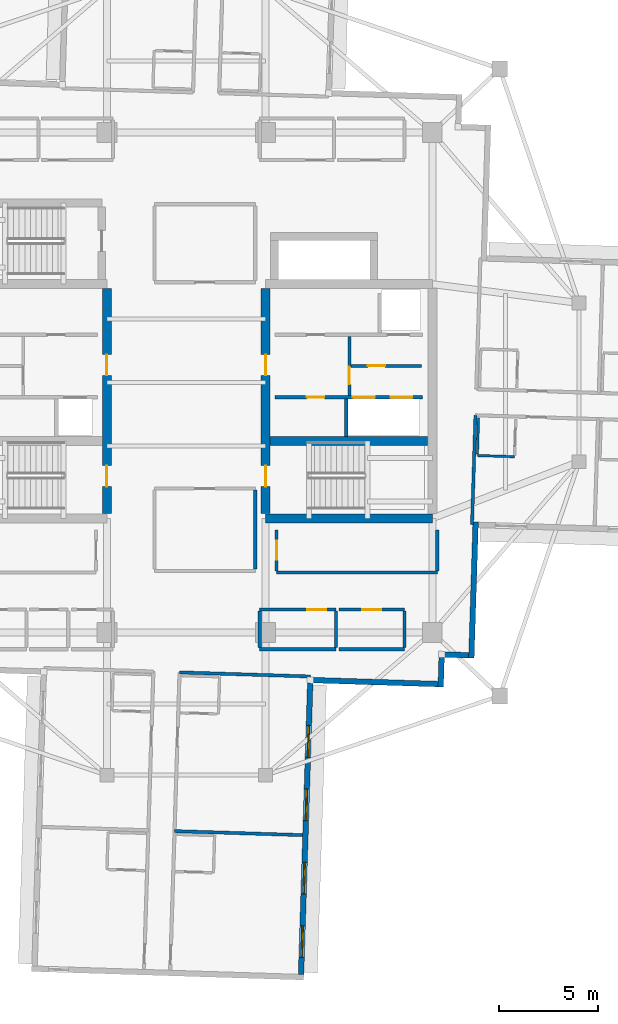
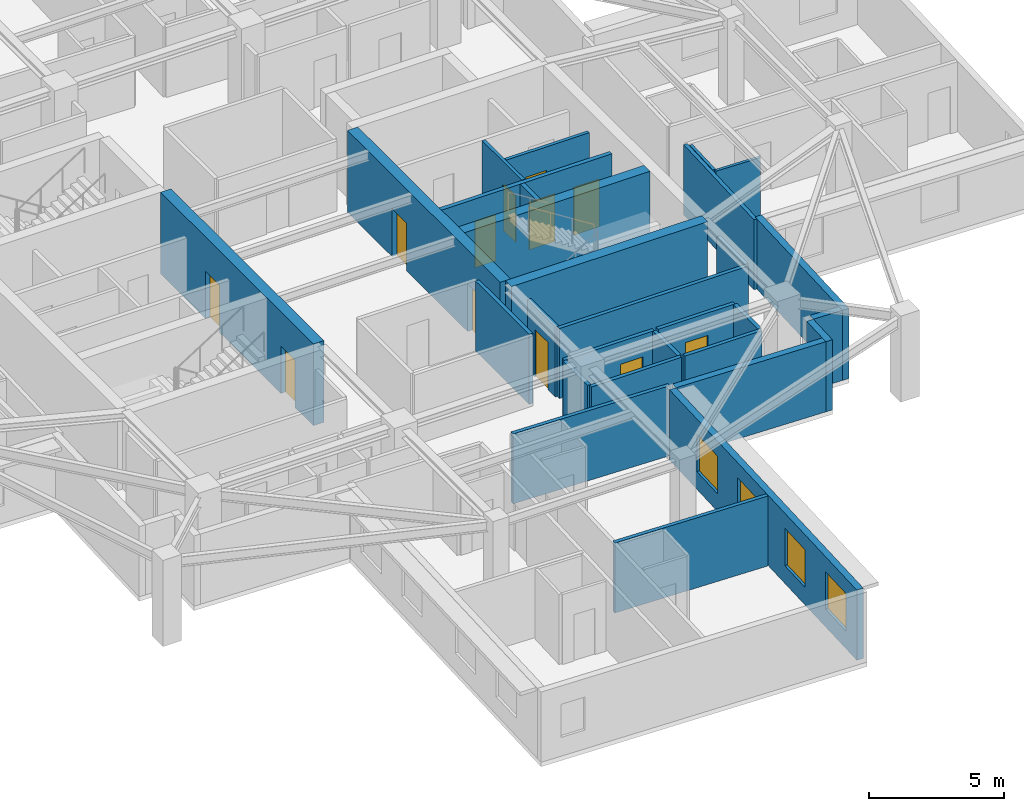
# One storey, part 5 of 13: 29 walls, 12 doors, 4 windows, 16 openings.
"""IFC4 building model written with IfcOpenShell, lengths in metres."""

from ifc_helpers import new_model, si_unit, direction, frame, frame_2d, origin, place, context, subcontext, project, spatial, rectangle, extrude, material, layer, layer_set, type_object, element, fill, save


model = new_model("IFC4")

# Units and contexts
model_context = context("Model", 3, precision=1e-05, world=origin(), true_north=direction((0.0, 1.0)))
body_context = subcontext(model_context, "Body", "Model", "MODEL_VIEW")
ifc_project = project(units=[si_unit("LENGTHUNIT", "METRE"), si_unit("AREAUNIT", "SQUARE_METRE"), si_unit("VOLUMEUNIT", "CUBIC_METRE"), si_unit("PLANEANGLEUNIT", "RADIAN"), si_unit("MASSUNIT", "GRAM", prefix="KILO")], contexts=[model_context])

# Site, building, storey
site_placement = place(None, origin())
site = spatial("IfcSite", under=ifc_project, at=site_placement, CompositionType="ELEMENT")
building_placement = place(site_placement, origin())
building = spatial("IfcBuilding", under=site, at=building_placement, Name="Qingluan Cross Belvedere", CompositionType="ELEMENT")
storey_placement = place(building_placement, frame((0.0, 0.0, 257.699951171875)))
storey = spatial("IfcBuildingStorey", under=building, at=storey_placement, Name="L64", CompositionType="ELEMENT", Elevation=257.699951171875)

# Wall, openings, doors
ifc_material_1 = material(Name="Concrete C50", Category="concrete")
ifc_layer_1 = layer(ifc_material_1, 0.449951171875, Name="CoreShearWall_450")
ifc_layer_set_1 = layer_set([ifc_layer_1], Name="Concrete C50")
wall_type_1 = type_object("IfcWallType", Name="CoreShearWall_450", PredefinedType="SHEAR", material=ifc_layer_set_1)
wall_1_placement = place(storey_placement, frame((-4.0, -6.6201171875, 0.0), z_axis=(0.0, 0.0, 1.0), x_axis=(0.0, 1.0, 0.0)))
wall_1 = element("IfcWall", 1, at=wall_1_placement, inside=storey, type_object=wall_type_1, Name="Split core W shear wall L64-E", PredefinedType="SHEAR", context=body_context, shape_type="SweptSolid", body=[
    extrude(rectangle(XDim=11.340087890625, YDim=0.449951171875, at=frame_2d((5.669921875, 0.0))), origin(), (0.0, 0.0, 1.0), 3.699951171875),
])
opening_1_placement = place(wall_1_placement, frame((1.3701171875, 0.0, 0.0)))
opening_1 = element("IfcOpeningElement", 2, at=opening_1_placement, cuts=wall_1, Name="Opening FD-B11", PredefinedType="OPENING", context=body_context, shape_type="SweptSolid", body=[
    extrude(rectangle(XDim=1.050048828125, YDim=2.14990234375, at=frame_2d((0.52490234375, 1.074951171875))), frame((0.0, 0.23486328125, 0.0), z_axis=(0.0, -1.0, 0.0), x_axis=(1.0, 0.0, 0.0)), (0.0, 0.0, 1.0), 0.469970703125),
])
opening_2_placement = place(wall_1_placement, frame((6.969970703125, 0.0, 0.0)))
opening_2 = element("IfcOpeningElement", 3, at=opening_2_placement, cuts=wall_1, Name="Opening FD-B11", PredefinedType="OPENING", context=body_context, shape_type="SweptSolid", body=[
    extrude(rectangle(XDim=1.050048828125, YDim=2.14990234375, at=frame_2d((0.52490234375, 1.074951171875))), frame((0.0, 0.23486328125, 0.0), z_axis=(0.0, -1.0, 0.0), x_axis=(1.0, 0.0, 0.0)), (0.0, 0.0, 1.0), 0.469970703125),
])
ifc_material_2 = material(Name="Steel Class B smoke-seal fire door", Category="steel")
door_type_1 = type_object("IfcDoorType", Name="StairLobbyFireDoor_FDB", OperationType="NOTDEFINED", PredefinedType="DOOR", material=ifc_material_2)
door_1_placement = place(opening_1_placement, origin())
door_1 = element("IfcDoor", 4, at=door_1_placement, inside=storey, type_object=door_type_1, Name="Smoke-proof stair ST1 fire door L64", OperationType="SINGLE_SWING_RIGHT", OverallHeight=2.14990234375, OverallWidth=1.050048828125, PredefinedType="DOOR", context=body_context, shape_type="SweptSolid", body=[
    extrude(rectangle(XDim=1.050048828125, YDim=2.14990234375, at=frame_2d((0.52490234375, 1.074951171875))), frame((0.0, 0.02490234375, 0.0), z_axis=(0.0, -1.0, 0.0), x_axis=(1.0, 0.0, 0.0)), (0.0, 0.0, 1.0), 0.050048828125),
])
fill(opening_1, door_1)
door_2_placement = place(opening_2_placement, origin())
door_2 = element("IfcDoor", 5, at=door_2_placement, inside=storey, type_object=door_type_1, Name="Firefighting lobby West fire door L64", OperationType="SINGLE_SWING_RIGHT", OverallHeight=2.14990234375, OverallWidth=1.050048828125, PredefinedType="DOOR", context=body_context, shape_type="SweptSolid", body=[
    extrude(rectangle(XDim=1.050048828125, YDim=2.14990234375, at=frame_2d((0.52490234375, 1.074951171875))), frame((0.0, 0.02490234375, 0.0), z_axis=(0.0, -1.0, 0.0), x_axis=(1.0, 0.0, 0.0)), (0.0, 0.0, 1.0), 0.050048828125),
])
fill(opening_2, door_2)

# Wall
wall_2_placement = place(storey_placement, frame((4.0, -6.85009765625, 0.0), z_axis=(0.0, 0.0, 1.0), x_axis=(1.0, 0.0, 0.0)))
element("IfcWall", 6, at=wall_2_placement, inside=storey, type_object=wall_type_1, Name="Split core E shear wall L64-S", PredefinedType="SHEAR", context=body_context, shape_type="SweptSolid", body=[
    extrude(rectangle(XDim=8.39990234375, YDim=0.449951171875, at=frame_2d((4.199951171875, 0.0))), origin(), (0.0, 0.0, 1.0), 3.699951171875),
])

# Wall, openings, doors
wall_3_placement = place(storey_placement, frame((4.0, -6.6201171875, 0.0), z_axis=(0.0, 0.0, 1.0), x_axis=(0.0, 1.0, 0.0)))
wall_3 = element("IfcWall", 7, at=wall_3_placement, inside=storey, type_object=wall_type_1, Name="Split core E shear wall L64-W", PredefinedType="SHEAR", context=body_context, shape_type="SweptSolid", body=[
    extrude(rectangle(XDim=11.340087890625, YDim=0.449951171875, at=frame_2d((5.669921875, 0.0))), origin(), (0.0, 0.0, 1.0), 3.699951171875),
])
opening_3_placement = place(wall_3_placement, frame((1.3701171875, 0.0, 0.0)))
opening_3 = element("IfcOpeningElement", 8, at=opening_3_placement, cuts=wall_3, Name="Opening FD-B11", PredefinedType="OPENING", context=body_context, shape_type="SweptSolid", body=[
    extrude(rectangle(XDim=1.050048828125, YDim=2.14990234375, at=frame_2d((0.52490234375, 1.074951171875))), frame((0.0, 0.23486328125, 0.0), z_axis=(0.0, -1.0, 0.0), x_axis=(1.0, 0.0, 0.0)), (0.0, 0.0, 1.0), 0.469970703125),
])
opening_4_placement = place(wall_3_placement, frame((6.969970703125, 0.0, 0.0)))
opening_4 = element("IfcOpeningElement", 9, at=opening_4_placement, cuts=wall_3, Name="Opening FD-B11", PredefinedType="OPENING", context=body_context, shape_type="SweptSolid", body=[
    extrude(rectangle(XDim=1.050048828125, YDim=2.14990234375, at=frame_2d((0.52490234375, 1.074951171875))), frame((0.0, 0.23486328125, 0.0), z_axis=(0.0, -1.0, 0.0), x_axis=(1.0, 0.0, 0.0)), (0.0, 0.0, 1.0), 0.469970703125),
])
door_3_placement = place(opening_3_placement, origin())
door_3 = element("IfcDoor", 10, at=door_3_placement, inside=storey, type_object=door_type_1, Name="Smoke-proof stair ST2 fire door L64", OperationType="SINGLE_SWING_LEFT", OverallHeight=2.14990234375, OverallWidth=1.050048828125, PredefinedType="DOOR", context=body_context, shape_type="SweptSolid", body=[
    extrude(rectangle(XDim=1.050048828125, YDim=2.14990234375, at=frame_2d((0.52490234375, 1.074951171875))), frame((0.0, 0.02490234375, 0.0), z_axis=(0.0, -1.0, 0.0), x_axis=(1.0, 0.0, 0.0)), (0.0, 0.0, 1.0), 0.050048828125),
])
fill(opening_3, door_3)
door_4_placement = place(opening_4_placement, origin())
door_4 = element("IfcDoor", 11, at=door_4_placement, inside=storey, type_object=door_type_1, Name="Firefighting lobby East fire door L64", OperationType="SINGLE_SWING_LEFT", OverallHeight=2.14990234375, OverallWidth=1.050048828125, PredefinedType="DOOR", context=body_context, shape_type="SweptSolid", body=[
    extrude(rectangle(XDim=1.050048828125, YDim=2.14990234375, at=frame_2d((0.52490234375, 1.074951171875))), frame((0.0, 0.02490234375, 0.0), z_axis=(0.0, -1.0, 0.0), x_axis=(1.0, 0.0, 0.0)), (0.0, 0.0, 1.0), 0.050048828125),
])
fill(opening_4, door_4)

# Wall
wall_4_placement = place(storey_placement, frame((4.22998046875, -2.9599609375, 0.0), z_axis=(0.0, 0.0, 1.0), x_axis=(1.0, 0.0, 0.0)))
element("IfcWall", 12, at=wall_4_placement, inside=storey, type_object=wall_type_1, Name="Split core E shear wall L64-M", PredefinedType="SHEAR", context=body_context, shape_type="SweptSolid", body=[
    extrude(rectangle(XDim=7.93994140625, YDim=0.449951171875, at=frame_2d((3.969970703125, 0.0))), origin(), (0.0, 0.0, 1.0), 3.699951171875),
])

# Wall, opening, door
ifc_material_3 = material(Name="Gypsum plasterboard on steel stud acoustic partition", Category="steel")
ifc_layer_2 = layer(ifc_material_3, 0.159912109375, Name="CorridorPartition_160")
ifc_layer_set_2 = layer_set([ifc_layer_2], Name="Gypsum plasterboard on steel stud acoustic partition")
wall_type_2 = type_object("IfcWallType", Name="CorridorPartition_160", PredefinedType="PARTITIONING", material=ifc_layer_set_2)
wall_5_placement = place(storey_placement, frame((8.298095703125, 0.830078125, 0.0), z_axis=(0.0, 0.0, 1.0), x_axis=(1.0, 0.0, 0.0)))
wall_5 = element("IfcWall", 13, at=wall_5_placement, inside=storey, type_object=wall_type_2, Name="Partition L64:e", PredefinedType="PARTITIONING", context=body_context, shape_type="SweptSolid", body=[
    extrude(rectangle(XDim=3.552001953125, YDim=0.139892578125, at=frame_2d((1.77587890625, 0.0))), origin(), (0.0, 0.0, 1.0), 3.170166015625),
])
opening_5_placement = place(wall_5_placement, frame((0.85009765625, 0.0, 0.0)))
opening_5 = element("IfcOpeningElement", 14, at=opening_5_placement, cuts=wall_5, Name="Opening FD-B10", PredefinedType="OPENING", context=body_context, shape_type="SweptSolid", body=[
    extrude(rectangle(XDim=0.8798828125, YDim=2.10009765625, at=frame_2d((0.43994140625, 1.050048828125))), frame((0.0, 0.079833984375, 0.0), z_axis=(0.0, -1.0, 0.0), x_axis=(1.0, 0.0, 0.0)), (0.0, 0.0, 1.0), 0.159912109375),
])
ifc_material_4 = material(Name="Steel Class B service fire door", Category="steel")
door_type_2 = type_object("IfcDoorType", Name="RiserServiceFireDoor_FDB", OperationType="NOTDEFINED", PredefinedType="DOOR", material=ifc_material_4)
door_5_placement = place(opening_5_placement, origin())
door_5 = element("IfcDoor", 15, at=door_5_placement, inside=storey, type_object=door_type_2, Name="Service closet inner door L64", OperationType="SINGLE_SWING_RIGHT", OverallHeight=2.10009765625, OverallWidth=0.8798828125, PredefinedType="DOOR", context=body_context, shape_type="SweptSolid", body=[
    extrude(rectangle(XDim=0.8798828125, YDim=2.10009765625, at=frame_2d((0.43994140625, 1.050048828125))), frame((0.0, 0.02490234375, 0.0), z_axis=(0.0, -1.0, 0.0), x_axis=(1.0, 0.0, 0.0)), (0.0, 0.0, 1.0), 0.050048828125),
])
fill(opening_5, door_5)

# Wall
wall_6_placement = place(storey_placement, frame((3.699951171875, -13.449951171875, 0.0), z_axis=(0.0, 0.0, 1.0), x_axis=(1.0, 0.0, 0.0)))
element("IfcWall", 16, at=wall_6_placement, inside=storey, type_object=wall_type_2, Name="Partition L64:q_se1:S", PredefinedType="PARTITIONING", context=body_context, shape_type="SweptSolid", body=[
    extrude(rectangle(XDim=3.85009765625, YDim=0.159912109375, at=frame_2d((1.925048828125, 0.0))), origin(), (0.0, 0.0, 1.0), 3.170166015625),
])

# Wall, opening, door
wall_7_placement = place(storey_placement, frame((3.699951171875, -11.449951171875, 0.0), z_axis=(0.0, 0.0, 1.0), x_axis=(1.0, 0.0, 0.0)))
wall_7 = element("IfcWall", 17, at=wall_7_placement, inside=storey, type_object=wall_type_2, Name="Partition L64:q_se1:N", PredefinedType="PARTITIONING", context=body_context, shape_type="SweptSolid", body=[
    extrude(rectangle(XDim=3.85009765625, YDim=0.159912109375, at=frame_2d((1.925048828125, 0.0))), origin(), (0.0, 0.0, 1.0), 3.170166015625),
])
opening_6_placement = place(wall_7_placement, frame((2.39501953125, 0.0, 0.0)))
opening_6 = element("IfcOpeningElement", 18, at=opening_6_placement, cuts=wall_7, Name="Opening GD-10", PredefinedType="OPENING", context=body_context, shape_type="SweptSolid", body=[
    extrude(rectangle(XDim=0.9599609375, YDim=2.14990234375, at=frame_2d((0.47998046875, 1.074951171875))), frame((0.0, 0.08984375, 0.0), z_axis=(0.0, -1.0, 0.0), x_axis=(1.0, 0.0, 0.0)), (0.0, 0.0, 1.0), 0.179931640625),
])
ifc_material_5 = material(Name="Timber oak fire-rated acoustic guestroom door", Category="wood")
door_type_3 = type_object("IfcDoorType", Name="GuestEntryDoor_FD60", OperationType="NOTDEFINED", PredefinedType="DOOR", material=ifc_material_5)
door_6_placement = place(opening_6_placement, origin())
door_6 = element("IfcDoor", 19, at=door_6_placement, inside=storey, type_object=door_type_3, Name="Guest relations office L64 door", OperationType="SINGLE_SWING_RIGHT", OverallHeight=2.14990234375, OverallWidth=0.9599609375, PredefinedType="DOOR", context=body_context, shape_type="SweptSolid", body=[
    extrude(rectangle(XDim=0.9599609375, YDim=2.14990234375, at=frame_2d((0.47998046875, 1.074951171875))), frame((0.0, 0.02490234375, 0.0), z_axis=(0.0, -1.0, 0.0), x_axis=(1.0, 0.0, 0.0)), (0.0, 0.0, 1.0), 0.050048828125),
])
fill(opening_6, door_6)

# Walls
for number, where, z_axis, x_axis, name in (
    (20, (3.699951171875, -13.364990234375, 0.0), (0.0, 0.0, 1.0), (0.0, 1.0, 0.0), "Partition L64:q_se1:W"),
    (21, (7.550048828125, -13.364990234375, 0.0), (0.0, 0.0, 1.0), (0.0, 1.0, 0.0), "Partition L64:q_se1:E"),
):
    element("IfcWall", number, at=place(storey_placement, frame(where, z_axis=z_axis, x_axis=x_axis)), inside=storey, type_object=wall_type_2, Name=name, PredefinedType="PARTITIONING", context=body_context, shape_type="SweptSolid", body=[
        extrude(rectangle(XDim=1.830078125, YDim=0.159912109375, at=frame_2d((0.9150390625, 0.0))), origin(), (0.0, 0.0, 1.0), 3.170166015625),
    ])
wall_8_placement = place(storey_placement, frame((7.7099609375, -13.449951171875, 0.0), z_axis=(0.0, 0.0, 1.0), x_axis=(1.0, 0.0, 0.0)))
element("IfcWall", 22, at=wall_8_placement, inside=storey, type_object=wall_type_2, Name="Partition L64:q_se2:S", PredefinedType="PARTITIONING", context=body_context, shape_type="SweptSolid", body=[
    extrude(rectangle(XDim=3.2900390625, YDim=0.159912109375, at=frame_2d((1.64501953125, 0.0))), origin(), (0.0, 0.0, 1.0), 3.170166015625),
])

# Wall, opening, door
wall_9_placement = place(storey_placement, frame((7.7099609375, -11.449951171875, 0.0), z_axis=(0.0, 0.0, 1.0), x_axis=(1.0, 0.0, 0.0)))
wall_9 = element("IfcWall", 23, at=wall_9_placement, inside=storey, type_object=wall_type_2, Name="Partition L64:q_se2:N", PredefinedType="PARTITIONING", context=body_context, shape_type="SweptSolid", body=[
    extrude(rectangle(XDim=3.2900390625, YDim=0.159912109375, at=frame_2d((1.64501953125, 0.0))), origin(), (0.0, 0.0, 1.0), 3.170166015625),
])
opening_7_placement = place(wall_9_placement, frame((1.1650390625, 0.0, 0.0)))
opening_7 = element("IfcOpeningElement", 24, at=opening_7_placement, cuts=wall_9, Name="Opening GD-10", PredefinedType="OPENING", context=body_context, shape_type="SweptSolid", body=[
    extrude(rectangle(XDim=0.9599609375, YDim=2.14990234375, at=frame_2d((0.47998046875, 1.074951171875))), frame((0.0, 0.08984375, 0.0), z_axis=(0.0, -1.0, 0.0), x_axis=(1.0, 0.0, 0.0)), (0.0, 0.0, 1.0), 0.179931640625),
])
door_7_placement = place(opening_7_placement, origin())
door_7 = element("IfcDoor", 25, at=door_7_placement, inside=storey, type_object=door_type_3, Name="Southeast study room L64 door", OperationType="SINGLE_SWING_LEFT", OverallHeight=2.14990234375, OverallWidth=0.9599609375, PredefinedType="DOOR", context=body_context, shape_type="SweptSolid", body=[
    extrude(rectangle(XDim=0.9599609375, YDim=2.14990234375, at=frame_2d((0.47998046875, 1.074951171875))), frame((0.0, 0.02490234375, 0.0), z_axis=(0.0, -1.0, 0.0), x_axis=(1.0, 0.0, 0.0)), (0.0, 0.0, 1.0), 0.050048828125),
])
fill(opening_7, door_7)

# Walls
wall_10_placement = place(storey_placement, frame((11.0, -13.364990234375, 0.0), z_axis=(0.0, 0.0, 1.0), x_axis=(0.0, 1.0, 0.0)))
element("IfcWall", 26, at=wall_10_placement, inside=storey, type_object=wall_type_2, Name="Partition L64:q_se2:E", PredefinedType="PARTITIONING", context=body_context, shape_type="SweptSolid", body=[
    extrude(rectangle(XDim=1.830078125, YDim=0.159912109375, at=frame_2d((0.9150390625, 0.0))), origin(), (0.0, 0.0, 1.0), 3.170166015625),
])
wall_11_placement = place(storey_placement, frame((3.47998046875, -9.4150390625, 0.0), z_axis=(0.0, 0.0, 1.0), x_axis=(0.0, 1.0, 0.0)))
element("IfcWall", 27, at=wall_11_placement, inside=storey, type_object=wall_type_2, Name="Partition L64:sky_south_alcove:E", PredefinedType="PARTITIONING", context=body_context, shape_type="SweptSolid", body=[
    extrude(rectangle(XDim=3.97998046875, YDim=0.159912109375, at=frame_2d((1.989990234375, 0.0))), origin(), (0.0, 0.0, 1.0), 3.170166015625),
])
wall_12_placement = place(storey_placement, frame((4.550048828125, -9.580078125, 0.0), z_axis=(0.0, 0.0, 1.0), x_axis=(1.0, 0.0, 0.0)))
element("IfcWall", 28, at=wall_12_placement, inside=storey, type_object=wall_type_2, Name="Partition L64:rec_st4:S", PredefinedType="PARTITIONING", context=body_context, shape_type="SweptSolid", body=[
    extrude(rectangle(XDim=8.099853515625, YDim=0.159912109375, at=frame_2d((4.0498046875, 0.0))), origin(), (0.0, 0.0, 1.0), 3.170166015625),
])

# Wall, opening, door
wall_13_placement = place(storey_placement, frame((4.550048828125, -9.4951171875, 0.0), z_axis=(0.0, 0.0, 1.0), x_axis=(0.0, 1.0, 0.0)))
wall_13 = element("IfcWall", 29, at=wall_13_placement, inside=storey, type_object=wall_type_2, Name="Partition L64:rec_st4:W", PredefinedType="PARTITIONING", context=body_context, shape_type="SweptSolid", body=[
    extrude(rectangle(XDim=2.06005859375, YDim=0.159912109375, at=frame_2d((1.030029296875, 0.0))), origin(), (0.0, 0.0, 1.0), 3.170166015625),
])
opening_8_placement = place(wall_13_placement, frame((0.550048828125, 0.0, 0.0)))
opening_8 = element("IfcOpeningElement", 30, at=opening_8_placement, cuts=wall_13, Name="Opening GD-10", PredefinedType="OPENING", context=body_context, shape_type="SweptSolid", body=[
    extrude(rectangle(XDim=0.9599609375, YDim=2.14990234375, at=frame_2d((0.47998046875, 1.074951171875))), frame((0.0, 0.08984375, 0.0), z_axis=(0.0, -1.0, 0.0), x_axis=(1.0, 0.0, 0.0)), (0.0, 0.0, 1.0), 0.179931640625),
])
door_8_placement = place(opening_8_placement, origin())
door_8 = element("IfcDoor", 31, at=door_8_placement, inside=storey, type_object=door_type_3, Name="Southeast club library room L64 door", OperationType="SINGLE_SWING_LEFT", OverallHeight=2.14990234375, OverallWidth=0.9599609375, PredefinedType="DOOR", context=body_context, shape_type="SweptSolid", body=[
    extrude(rectangle(XDim=0.9599609375, YDim=2.14990234375, at=frame_2d((0.47998046875, 1.074951171875))), frame((0.0, 0.02490234375, 0.0), z_axis=(0.0, -1.0, 0.0), x_axis=(1.0, 0.0, 0.0)), (0.0, 0.0, 1.0), 0.050048828125),
])
fill(opening_8, door_8)

# Walls
wall_14_placement = place(storey_placement, frame((12.64990234375, -9.4951171875, 0.0), z_axis=(0.0, 0.0, 1.0), x_axis=(0.0, 1.0, 0.0)))
element("IfcWall", 32, at=wall_14_placement, inside=storey, type_object=wall_type_2, Name="Partition L64:rec_st4:E", PredefinedType="PARTITIONING", context=body_context, shape_type="SweptSolid", body=[
    extrude(rectangle(XDim=2.06005859375, YDim=0.159912109375, at=frame_2d((1.030029296875, 0.0))), origin(), (0.0, 0.0, 1.0), 3.170166015625),
])
wall_15_placement = place(storey_placement, frame((14.5751953125, -1.65869140625, 0.0), z_axis=(0.0, 0.0, 1.0), x_axis=(-0.031447400002, -0.999505408206, 0.0)))
element("IfcWall", 33, at=wall_15_placement, inside=storey, type_object=wall_type_2, Name="Partition L64:E:s1", PredefinedType="PARTITIONING", context=body_context, shape_type="SweptSolid", body=[
    extrude(rectangle(XDim=5.519775390625, YDim=0.159912109375, at=frame_2d((2.759765625, 0.0))), origin(), (0.0, 0.0, 1.0), 3.170166015625),
])
wall_16_placement = place(storey_placement, frame((-0.33935546875, -14.61669921875, 0.0), z_axis=(0.0, 0.0, 1.0), x_axis=(0.999506756764, -0.031404508956, 0.0)))
element("IfcWall", 34, at=wall_16_placement, inside=storey, type_object=wall_type_2, Name="Partition L64:S:s0", PredefinedType="PARTITIONING", context=body_context, shape_type="SweptSolid", body=[
    extrude(rectangle(XDim=6.60009765625, YDim=0.159912109375, at=frame_2d((3.300048828125, 0.0))), origin(), (0.0, 0.0, 1.0), 3.170166015625),
])
wall_17_placement = place(storey_placement, frame((-0.5908203125, -22.61669921875, 0.0), z_axis=(0.0, 0.0, 1.0), x_axis=(0.999506708632, -0.031406040816, 0.0)))
element("IfcWall", 35, at=wall_17_placement, inside=storey, type_object=wall_type_2, Name="Partition L64:S:d0_0", PredefinedType="PARTITIONING", context=body_context, shape_type="SweptSolid", body=[
    extrude(rectangle(XDim=6.4521484375, YDim=0.159912109375, at=frame_2d((3.22607421875, 0.0))), origin(), (0.0, 0.0, 1.0), 3.170166015625),
])
ifc_material_6 = material(Name="Moisture-resistant gypsum board lining")
ifc_layer_3 = layer(ifc_material_6, 0.1201171875, Name="EnsuiteWetPartition_120")
ifc_layer_set_3 = layer_set([ifc_layer_3], Name="Moisture-resistant gypsum board lining")
wall_type_3 = type_object("IfcWallType", Name="EnsuiteWetPartition_120", PredefinedType="PARTITIONING", material=ifc_layer_set_3)
wall_18_placement = place(storey_placement, frame((14.67333984375, -3.622802734375, 0.0), z_axis=(0.0, 0.0, 1.0), x_axis=(0.03152371574, 0.999503004171, 0.0)))
element("IfcWall", 36, at=wall_18_placement, inside=storey, type_object=wall_type_3, Name="Partition L64:E:bw1_0", PredefinedType="PARTITIONING", context=body_context, shape_type="SweptSolid", body=[
    extrude(rectangle(XDim=1.820068359375, YDim=0.1201171875, at=frame_2d((0.91015625, 0.0))), origin(), (0.0, 0.0, 1.0), 3.170166015625),
])
wall_19_placement = place(storey_placement, frame((14.67138671875, -3.687744140625, 0.0), z_axis=(0.0, 0.0, 1.0), x_axis=(0.999510173889, -0.031295563454, 0.0)))
element("IfcWall", 37, at=wall_19_placement, inside=storey, type_object=wall_type_3, Name="Partition L64:E:bc1_0", PredefinedType="PARTITIONING", context=body_context, shape_type="SweptSolid", body=[
    extrude(rectangle(XDim=1.880126953125, YDim=0.1201171875, at=frame_2d((0.93994140625, 0.0))), origin(), (0.0, 0.0, 1.0), 3.170166015625),
])

# Wall, openings, windows
ifc_material_7 = material(Name="Precast concrete C45", Category="concrete")
ifc_layer_4 = layer(ifc_material_7, 0.280029296875, Name="PrecastFacadeWall_280")
ifc_layer_set_4 = layer_set([ifc_layer_4], Name="Precast concrete C45")
wall_type_4 = type_object("IfcWallType", Name="PrecastFacadeWall_280", PredefinedType="STANDARD", material=ifc_layer_set_4)
wall_20_placement = place(storey_placement, frame((5.78564453125, -29.83642578125, 0.0), z_axis=(0.0, 0.0, 1.0), x_axis=(0.031406376864, 0.999506698073, 0.0)))
wall_20 = element("IfcWall", 38, at=wall_20_placement, inside=storey, type_object=wall_type_4, Name="Facade wall L64-SB", PredefinedType="STANDARD", context=body_context, shape_type="SweptSolid", body=[
    extrude(rectangle(XDim=14.699951171875, YDim=0.280029296875, at=frame_2d((7.35009765625, 0.0))), origin(), (0.0, 0.0, 1.0), 3.179931640625),
])
opening_9_placement = place(wall_20_placement, frame((0.85009765625, 0.0, 0.800048828125)))
opening_9 = element("IfcOpeningElement", 39, at=opening_9_placement, cuts=wall_20, Name="Opening W-04", PredefinedType="OPENING", context=body_context, shape_type="SweptSolid", body=[
    extrude(rectangle(XDim=1.60009765625, YDim=1.699951171875, at=frame_2d((0.800048828125, 0.85009765625))), frame((0.0, 0.14990234375, 0.0), z_axis=(0.0, -1.0, 0.0), x_axis=(1.0, 0.0, 0.0)), (0.0, 0.0, 1.0), 0.300048828125),
])
opening_10_placement = place(wall_20_placement, frame((4.050048828125, 0.0, 0.800048828125)))
opening_10 = element("IfcOpeningElement", 40, at=opening_10_placement, cuts=wall_20, Name="Opening W-04", PredefinedType="OPENING", context=body_context, shape_type="SweptSolid", body=[
    extrude(rectangle(XDim=1.60009765625, YDim=1.699951171875, at=frame_2d((0.800048828125, 0.85009765625))), frame((0.0, 0.14990234375, 0.0), z_axis=(0.0, -1.0, 0.0), x_axis=(1.0, 0.0, 0.0)), (0.0, 0.0, 1.0), 0.300048828125),
])
opening_11_placement = place(wall_20_placement, frame((7.75, 0.0, 0.800048828125)))
opening_11 = element("IfcOpeningElement", 41, at=opening_11_placement, cuts=wall_20, Name="Opening W-04", PredefinedType="OPENING", context=body_context, shape_type="SweptSolid", body=[
    extrude(rectangle(XDim=1.60009765625, YDim=1.699951171875, at=frame_2d((0.800048828125, 0.85009765625))), frame((0.0, 0.14990234375, 0.0), z_axis=(0.0, -1.0, 0.0), x_axis=(1.0, 0.0, 0.0)), (0.0, 0.0, 1.0), 0.300048828125),
])
opening_12_placement = place(wall_20_placement, frame((10.949951171875, 0.0, 0.800048828125)))
opening_12 = element("IfcOpeningElement", 42, at=opening_12_placement, cuts=wall_20, Name="Opening W-04", PredefinedType="OPENING", context=body_context, shape_type="SweptSolid", body=[
    extrude(rectangle(XDim=1.60009765625, YDim=1.699951171875, at=frame_2d((0.800048828125, 0.85009765625))), frame((0.0, 0.14990234375, 0.0), z_axis=(0.0, -1.0, 0.0), x_axis=(1.0, 0.0, 0.0)), (0.0, 0.0, 1.0), 0.300048828125),
])
ifc_material_8 = material(Name="Thermally broken triple Low-E glass in aluminium frame", Category="aluminium")
window_type = type_object("IfcWindowType", Name="SuiteCornerWin_1600x1700", PartitioningType="SINGLE_PANEL", PredefinedType="WINDOW", material=ifc_material_8)
window_1_placement = place(opening_9_placement, origin())
window_1 = element("IfcWindow", 43, at=window_1_placement, inside=storey, type_object=window_type, Name="Ribbon window L64-SB-1", OverallHeight=1.699951171875, OverallWidth=1.60009765625, PartitioningType="SINGLE_PANEL", PredefinedType="WINDOW", context=body_context, shape_type="SweptSolid", body=[
    extrude(rectangle(XDim=1.60009765625, YDim=1.699951171875, at=frame_2d((0.800048828125, 0.85009765625))), frame((0.0, 0.030029296875, 0.0), z_axis=(0.0, -1.0, 0.0), x_axis=(1.0, 0.0, 0.0)), (0.0, 0.0, 1.0), 0.06005859375),
])
fill(opening_9, window_1)
window_2_placement = place(opening_10_placement, origin())
window_2 = element("IfcWindow", 44, at=window_2_placement, inside=storey, type_object=window_type, Name="Ribbon window L64-SB-2", OverallHeight=1.699951171875, OverallWidth=1.60009765625, PartitioningType="SINGLE_PANEL", PredefinedType="WINDOW", context=body_context, shape_type="SweptSolid", body=[
    extrude(rectangle(XDim=1.60009765625, YDim=1.699951171875, at=frame_2d((0.800048828125, 0.85009765625))), frame((0.0, 0.030029296875, 0.0), z_axis=(0.0, -1.0, 0.0), x_axis=(1.0, 0.0, 0.0)), (0.0, 0.0, 1.0), 0.06005859375),
])
fill(opening_10, window_2)
window_3_placement = place(opening_11_placement, origin())
window_3 = element("IfcWindow", 45, at=window_3_placement, inside=storey, type_object=window_type, Name="Ribbon window L64-SB-3", OverallHeight=1.699951171875, OverallWidth=1.60009765625, PartitioningType="SINGLE_PANEL", PredefinedType="WINDOW", context=body_context, shape_type="SweptSolid", body=[
    extrude(rectangle(XDim=1.60009765625, YDim=1.699951171875, at=frame_2d((0.800048828125, 0.85009765625))), frame((0.0, 0.030029296875, 0.0), z_axis=(0.0, -1.0, 0.0), x_axis=(1.0, 0.0, 0.0)), (0.0, 0.0, 1.0), 0.06005859375),
])
fill(opening_11, window_3)
window_4_placement = place(opening_12_placement, origin())
window_4 = element("IfcWindow", 46, at=window_4_placement, inside=storey, type_object=window_type, Name="Ribbon window L64-SB-4", OverallHeight=1.699951171875, OverallWidth=1.60009765625, PartitioningType="SINGLE_PANEL", PredefinedType="WINDOW", context=body_context, shape_type="SweptSolid", body=[
    extrude(rectangle(XDim=1.60009765625, YDim=1.699951171875, at=frame_2d((0.800048828125, 0.85009765625))), frame((0.0, 0.030029296875, 0.0), z_axis=(0.0, -1.0, 0.0), x_axis=(1.0, 0.0, 0.0)), (0.0, 0.0, 1.0), 0.06005859375),
])
fill(opening_12, window_4)

# Walls
wall_21_placement = place(storey_placement, frame((14.5859375, -7.04150390625, 0.0), z_axis=(0.0, 0.0, 1.0), x_axis=(-0.031389189386, -0.999507237988, 0.0)))
element("IfcWall", 47, at=wall_21_placement, inside=storey, type_object=wall_type_4, Name="Corner wall L64-SE1", PredefinedType="STANDARD", context=body_context, shape_type="SweptSolid", body=[
    extrude(rectangle(XDim=6.860107421875, YDim=0.280029296875, at=frame_2d((3.43017578125, 0.0))), origin(), (0.0, 0.0, 1.0), 3.179931640625),
])
wall_22_placement = place(storey_placement, frame((14.235107421875, -13.75390625, 0.0), z_axis=(0.0, 0.0, 1.0), x_axis=(-0.999506398264, 0.031415916822, 0.0)))
element("IfcWall", 48, at=wall_22_placement, inside=storey, type_object=wall_type_4, Name="Corner wall L64-SE2", PredefinedType="STANDARD", context=body_context, shape_type="SweptSolid", body=[
    extrude(rectangle(XDim=1.219970703125, YDim=0.280029296875, at=frame_2d((0.60986328125, 0.0))), origin(), (0.0, 0.0, 1.0), 3.179931640625),
])
wall_23_placement = place(storey_placement, frame((12.871337890625, -13.85107421875, 0.0), z_axis=(0.0, 0.0, 1.0), x_axis=(-0.031412596484, -0.999506502621, 0.0)))
element("IfcWall", 49, at=wall_23_placement, inside=storey, type_object=wall_type_4, Name="Corner wall L64-SE3", PredefinedType="STANDARD", context=body_context, shape_type="SweptSolid", body=[
    extrude(rectangle(XDim=1.5, YDim=0.280029296875, at=frame_2d((0.75, 0.0))), origin(), (0.0, 0.0, 1.0), 3.179931640625),
])
wall_24_placement = place(storey_placement, frame((12.688720703125, -15.2060546875, 0.0), z_axis=(0.0, 0.0, 1.0), x_axis=(-0.999507262922, 0.031388395416, 0.0)))
element("IfcWall", 50, at=wall_24_placement, inside=storey, type_object=wall_type_4, Name="Corner wall L64-SE4", PredefinedType="STANDARD", context=body_context, shape_type="SweptSolid", body=[
    extrude(rectangle(XDim=6.30029296875, YDim=0.280029296875, at=frame_2d((3.150146484375, 0.0))), origin(), (0.0, 0.0, 1.0), 3.179931640625),
])

# Wall, openings, doors
ifc_material_9 = material(Name="Concrete C40", Category="concrete")
ifc_layer_5 = layer(ifc_material_9, 0.219970703125, Name="ShaftEnclosureWall_250")
ifc_layer_set_5 = layer_set([ifc_layer_5], Name="Concrete C40")
wall_type_5 = type_object("IfcWallType", Name="ShaftEnclosureWall_250", PredefinedType="SOLIDWALL", material=ifc_layer_set_5)
wall_25_placement = place(storey_placement, frame((4.47998046875, -0.75, 0.0), z_axis=(0.0, 0.0, 1.0), x_axis=(1.0, 0.0, 0.0)))
wall_25 = element("IfcWall", 51, at=wall_25_placement, inside=storey, type_object=wall_type_5, Name="Core-E mid hoistway wall L64", PredefinedType="SOLIDWALL", context=body_context, shape_type="SweptSolid", body=[
    extrude(rectangle(XDim=7.419921875, YDim=0.179931640625, at=frame_2d((3.7099609375, 0.0))), origin(), (0.0, 0.0, 1.0), 3.170166015625),
])
opening_13_placement = place(wall_25_placement, frame((3.919921875, 0.0, 0.0)))
opening_13 = element("IfcOpeningElement", 52, at=opening_13_placement, cuts=wall_25, Name="Opening LD-11", PredefinedType="OPENING", context=body_context, shape_type="SweptSolid", body=[
    extrude(rectangle(XDim=1.10009765625, YDim=2.14990234375, at=frame_2d((0.550048828125, 1.074951171875))), frame((0.0, 0.099853515625, 0.0), z_axis=(0.0, -1.0, 0.0), x_axis=(1.0, 0.0, 0.0)), (0.0, 0.0, 1.0), 0.199951171875),
])
opening_14_placement = place(wall_25_placement, frame((5.820068359375, 0.0, 0.0)))
opening_14 = element("IfcOpeningElement", 53, at=opening_14_placement, cuts=wall_25, Name="Opening LD-11", PredefinedType="OPENING", context=body_context, shape_type="SweptSolid", body=[
    extrude(rectangle(XDim=1.10009765625, YDim=2.14990234375, at=frame_2d((0.550048828125, 1.074951171875))), frame((0.0, 0.099853515625, 0.0), z_axis=(0.0, -1.0, 0.0), x_axis=(1.0, 0.0, 0.0)), (0.0, 0.0, 1.0), 0.199951171875),
])
opening_15_placement = place(wall_25_placement, frame((1.60009765625, 0.0, 0.0)))
opening_15 = element("IfcOpeningElement", 54, at=opening_15_placement, cuts=wall_25, Name="Opening FD-B10", PredefinedType="OPENING", context=body_context, shape_type="SweptSolid", body=[
    extrude(rectangle(XDim=0.8798828125, YDim=2.10009765625, at=frame_2d((0.43994140625, 1.050048828125))), frame((0.0, 0.099853515625, 0.0), z_axis=(0.0, -1.0, 0.0), x_axis=(1.0, 0.0, 0.0)), (0.0, 0.0, 1.0), 0.199951171875),
])
ifc_material_10 = material(Name="Brushed stainless steel centre-opening lift landing door", Category="steel")
door_type_4 = type_object("IfcDoorType", Name="LiftLandingSlidingDoor_1100", OperationType="DOUBLE_DOOR_SLIDING", PredefinedType="DOOR", material=ifc_material_10)
door_9_placement = place(opening_13_placement, origin())
door_9 = element("IfcDoor", 55, at=door_9_placement, inside=storey, type_object=door_type_4, Name="Lift landing sliding door LP9 L64", OperationType="DOUBLE_DOOR_SLIDING", OverallHeight=2.14990234375, OverallWidth=1.10009765625, PredefinedType="DOOR", context=body_context, shape_type="SweptSolid", body=[
    extrude(rectangle(XDim=1.10009765625, YDim=2.14990234375, at=frame_2d((0.550048828125, 1.074951171875))), frame((0.0, 0.02490234375, 0.0), z_axis=(0.0, -1.0, 0.0), x_axis=(1.0, 0.0, 0.0)), (0.0, 0.0, 1.0), 0.050048828125),
])
fill(opening_13, door_9)
door_10_placement = place(opening_14_placement, origin())
door_10 = element("IfcDoor", 56, at=door_10_placement, inside=storey, type_object=door_type_4, Name="Lift landing sliding door LP10 L64", OperationType="DOUBLE_DOOR_SLIDING", OverallHeight=2.14990234375, OverallWidth=1.10009765625, PredefinedType="DOOR", context=body_context, shape_type="SweptSolid", body=[
    extrude(rectangle(XDim=1.10009765625, YDim=2.14990234375, at=frame_2d((0.550048828125, 1.074951171875))), frame((0.0, 0.02490234375, 0.0), z_axis=(0.0, -1.0, 0.0), x_axis=(1.0, 0.0, 0.0)), (0.0, 0.0, 1.0), 0.050048828125),
])
fill(opening_14, door_10)
door_11_placement = place(opening_15_placement, origin())
door_11 = element("IfcDoor", 57, at=door_11_placement, inside=storey, type_object=door_type_2, Name="Upper-zone linen store door L64", OperationType="SINGLE_SWING_RIGHT", OverallHeight=2.10009765625, OverallWidth=0.8798828125, PredefinedType="DOOR", context=body_context, shape_type="SweptSolid", body=[
    extrude(rectangle(XDim=0.8798828125, YDim=2.10009765625, at=frame_2d((0.43994140625, 1.050048828125))), frame((0.0, 0.02490234375, 0.0), z_axis=(0.0, -1.0, 0.0), x_axis=(1.0, 0.0, 0.0)), (0.0, 0.0, 1.0), 0.050048828125),
])
fill(opening_15, door_11)

# Wall
wall_26_placement = place(storey_placement, frame((8.06005859375, -2.72998046875, 0.0), z_axis=(0.0, 0.0, 1.0), x_axis=(0.0, 1.0, 0.0)))
element("IfcWall", 58, at=wall_26_placement, inside=storey, type_object=wall_type_5, Name="Hoistway enclosure divider LP9W L64", PredefinedType="SOLIDWALL", context=body_context, shape_type="SweptSolid", body=[
    extrude(rectangle(XDim=1.889892578125, YDim=0.179931640625, at=frame_2d((0.94482421875, 0.0))), origin(), (0.0, 0.0, 1.0), 3.170166015625),
])

# Wall, opening, door
wall_27_placement = place(storey_placement, frame((8.219970703125, -0.64990234375, 0.0), z_axis=(0.0, 0.0, 1.0), x_axis=(0.0, 1.0, 0.0)))
wall_27 = element("IfcWall", 59, at=wall_27_placement, inside=storey, type_object=wall_type_5, Name="Core-E service corridor wall L64", PredefinedType="SOLIDWALL", context=body_context, shape_type="SweptSolid", body=[
    extrude(rectangle(XDim=2.9599609375, YDim=0.139892578125, at=frame_2d((1.47998046875, 0.0))), origin(), (0.0, 0.0, 1.0), 3.170166015625),
])
opening_16_placement = place(wall_27_placement, frame((0.550048828125, 0.0, 0.0)))
opening_16 = element("IfcOpeningElement", 60, at=opening_16_placement, cuts=wall_27, Name="Opening FD-B10", PredefinedType="OPENING", context=body_context, shape_type="SweptSolid", body=[
    extrude(rectangle(XDim=0.8798828125, YDim=2.10009765625, at=frame_2d((0.43994140625, 1.050048828125))), frame((0.0, 0.079833984375, 0.0), z_axis=(0.0, -1.0, 0.0), x_axis=(1.0, 0.0, 0.0)), (0.0, 0.0, 1.0), 0.159912109375),
])
door_12_placement = place(opening_16_placement, origin())
door_12 = element("IfcDoor", 61, at=door_12_placement, inside=storey, type_object=door_type_2, Name="Core-E service room door L64", OperationType="SINGLE_SWING_RIGHT", OverallHeight=2.10009765625, OverallWidth=0.8798828125, PredefinedType="DOOR", context=body_context, shape_type="SweptSolid", body=[
    extrude(rectangle(XDim=0.8798828125, YDim=2.10009765625, at=frame_2d((0.43994140625, 1.050048828125))), frame((0.0, 0.02490234375, 0.0), z_axis=(0.0, -1.0, 0.0), x_axis=(1.0, 0.0, 0.0)), (0.0, 0.0, 1.0), 0.050048828125),
])
fill(opening_16, door_12)

save(model, "model.ifc")
